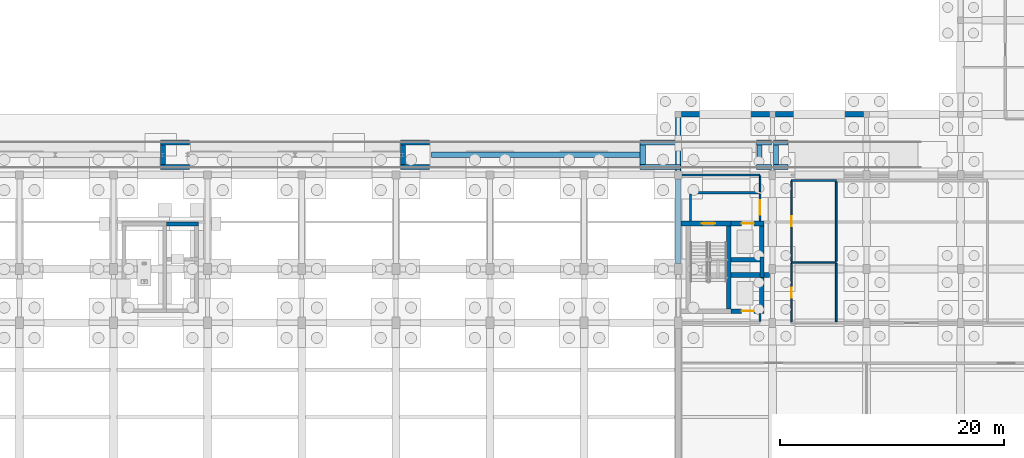
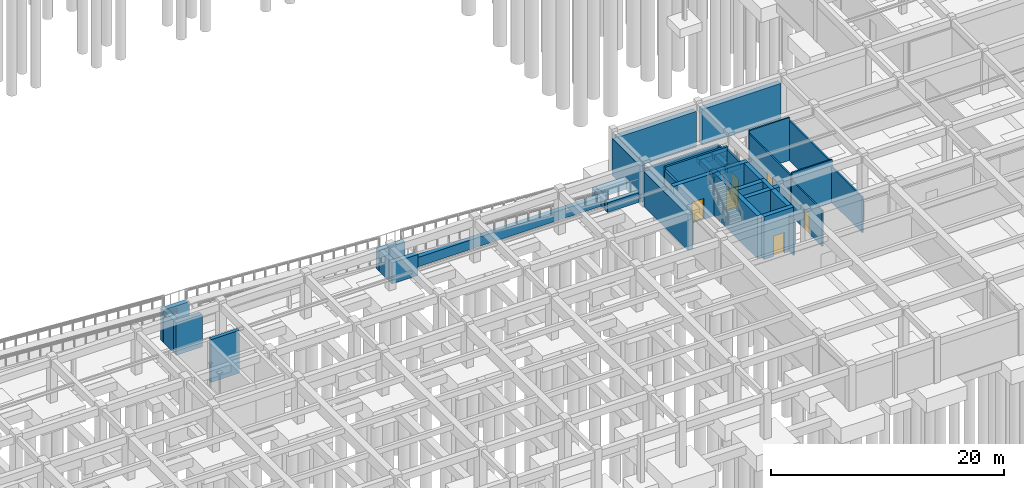
# One storey, part 37 of 49: 42 walls, 6 doors, 6 openings.
"""IFC4 building model written with IfcOpenShell, lengths in metres."""

import ifcopenshell
import ifcopenshell.guid

model = None  # the IFC model being written
_history = None  # IfcOwnerHistory: only IFC2X3 demands one
_inside = {}  # id of a spatial element -> (the spatial element, [elements in it])
_under = {}  # id of a project, library or spatial element -> (it, [spatial elements below it])
_declared = {}  # id of a project -> (the project, [libraries it declares])
_typed = {}  # id of a type object -> (the type object, [elements of that type])
_made_of = {}  # id of a material, layer set ... -> (it, [elements and type objects made of it])


def new_model(schema):
    """Start an empty IFC model of exactly this schema.

    Asked for "IFC4X3", IfcOpenShell would pick the latest addendum, in which some entities
    have other attributes; the version numbers below select the first issue.
    IFC2X3 requires an IfcOwnerHistory on every rooted entity: one is made here for all.
    """
    global model, _history
    if schema == "IFC4X3":
        model = ifcopenshell.file(schema_version=(4, 3, 0, 0))
    else:
        model = ifcopenshell.file(schema=schema)
    _inside.clear()
    _under.clear()
    _declared.clear()
    _typed.clear()
    _made_of.clear()
    _history = None
    if model.schema == "IFC2X3":
        org = make("IfcOrganization", Name="unknown")
        user = make(
            "IfcPersonAndOrganization",
            ThePerson=make("IfcPerson", FamilyName="unknown"),
            TheOrganization=org,
        )
        app = make(
            "IfcApplication",
            ApplicationDeveloper=org,
            Version="unknown",
            ApplicationFullName="unknown",
            ApplicationIdentifier="unknown",
        )
        _history = make(
            "IfcOwnerHistory",
            OwningUser=user,
            OwningApplication=app,
            ChangeAction="ADDED",
            CreationDate=0,
        )
    return model


def make(cls, **values):
    """One entity of the class cls with the attributes given. An attribute that is None is left unset."""
    return model.create_entity(
        cls, **{name: value for name, value in values.items() if value is not None}
    )


def rooted(cls, **values):
    """An entity with a GlobalId (a new one), such as an element, a storey or a relation."""
    return make(cls, GlobalId=ifcopenshell.guid.new(), OwnerHistory=_history, **values)


def si_unit(unit_type, name, prefix=None):
    """IfcSIUnit, for example si_unit("LENGTHUNIT", "METRE", prefix="MILLI")."""
    return make("IfcSIUnit", UnitType=unit_type, Prefix=prefix, Name=name)


def assignment(units):
    """IfcUnitAssignment: the units of a project."""
    return None if units is None else make("IfcUnitAssignment", Units=units)


def point(xyz):
    """IfcCartesianPoint."""
    return None if xyz is None else make("IfcCartesianPoint", Coordinates=xyz)


def direction(xyz):
    """IfcDirection."""
    return None if xyz is None else make("IfcDirection", DirectionRatios=xyz)


def frame(location, z_axis=None, x_axis=None):
    """IfcAxis2Placement3D, a coordinate frame: its origin and axes. An axis left out is left unset."""
    return make(
        "IfcAxis2Placement3D",
        Location=point(location),
        Axis=direction(z_axis),
        RefDirection=direction(x_axis),
    )


def frame_2d(location, x_axis=None):
    """IfcAxis2Placement2D, a coordinate frame in the plane: its origin and x axis."""
    return make(
        "IfcAxis2Placement2D", Location=point(location), RefDirection=direction(x_axis)
    )


def origin():
    """The frame at (0, 0, 0) with its axes left unset."""
    return frame((0.0, 0.0, 0.0))


def place(relative_to, where):
    """IfcLocalPlacement: puts the frame where relative to a parent placement (None: the world)."""
    return make(
        "IfcLocalPlacement", PlacementRelTo=relative_to, RelativePlacement=where
    )


def context(
    kind, dimensions, precision=None, world=None, true_north=None, identifier=None
):
    """IfcGeometricRepresentationContext, for example the 3D "Model" context."""
    return make(
        "IfcGeometricRepresentationContext",
        ContextIdentifier=identifier,
        ContextType=kind,
        CoordinateSpaceDimension=dimensions,
        Precision=precision,
        WorldCoordinateSystem=world,
        TrueNorth=true_north,
    )


def subcontext(parent, identifier, kind, view, scale=None):
    """IfcGeometricRepresentationSubContext, for example "Body" below "Model"."""
    return make(
        "IfcGeometricRepresentationSubContext",
        ContextIdentifier=identifier,
        ContextType=kind,
        ParentContext=parent,
        TargetScale=scale,
        TargetView=view,
    )


def project(units=None, contexts=None):
    """IfcProject with its units and contexts."""
    return rooted(
        "IfcProject",
        Name="project",
        RepresentationContexts=contexts,
        UnitsInContext=assignment(units),
    )


def spatial(cls, under=None, at=None, **own):
    """A site, building, storey or space (cls), placed at a placement, below another one or the project."""
    s = rooted(cls, ObjectPlacement=at, **own)
    if under is not None:
        _under.setdefault(under.id(), (under, []))[1].append(s)
    return s


def profile(cls, at=None, kind="AREA", **sizes):
    """A parametric profile (cls). Its sizes go by their IFC names, for example OverallWidth=200.0."""
    return make(cls, ProfileType=kind, Position=at, **sizes)


def rectangle(**sizes):
    """IfcRectangleProfileDef."""
    return profile("IfcRectangleProfileDef", **sizes)


def extrude(swept, where, along, depth):
    """IfcExtrudedAreaSolid: the profile swept, set in the frame where, extruded along a direction by depth."""
    return make(
        "IfcExtrudedAreaSolid",
        SweptArea=swept,
        Position=where,
        ExtrudedDirection=direction(along),
        Depth=depth,
    )


def shape(context_of_items, identifier, shape_type, items):
    """IfcShapeRepresentation: the items that make up one representation, for example the "Body"."""
    return make(
        "IfcShapeRepresentation",
        ContextOfItems=context_of_items,
        RepresentationIdentifier=identifier,
        RepresentationType=shape_type,
        Items=items,
    )


def material(Name=None, Category=None):
    """IfcMaterial."""
    return make("IfcMaterial", Name=Name, Category=Category)


def layer(
    of_material, thickness, ventilated=None, Name=None, Category=None, Priority=None
):
    """IfcMaterialLayer: one layer of a wall or slab, of a material (None: an air gap)."""
    return make(
        "IfcMaterialLayer",
        Material=of_material,
        LayerThickness=thickness,
        IsVentilated=ventilated,
        Name=Name,
        Category=Category,
        Priority=Priority,
    )


def layer_set(layers, Name=None):
    """IfcMaterialLayerSet."""
    return make("IfcMaterialLayerSet", MaterialLayers=layers, LayerSetName=Name)


def made_of(thing, what):
    """Note that an element or type object is made of a material, layer set ...; save() writes the relation."""
    if what is not None:
        _made_of.setdefault(what.id(), (what, []))[1].append(thing)
    return thing


def type_object(cls, material=None, **own):
    """A type object (cls), such as IfcWallType, which elements share."""
    return made_of(rooted(cls, **own), material)


def element(
    cls,
    number,
    at=None,
    inside=None,
    cuts=None,
    type_object=None,
    material=None,
    context=None,
    identifier="Body",
    shape_type=None,
    held_by="IfcProductDefinitionShape",
    body=None,
    shapes=None,
    **own,
):
    """One element of the class cls, such as IfcWall. Its Tag is "e" and its number.

    at: its placement. inside: the storey or other place that contains it. cuts: it is an
    opening in that element (IfcRelVoidsElement). A single representation is given by context,
    identifier, shape_type and body (its items); several are given by shapes. held_by: the class
    of the entity that holds the representations. save() writes the other relations.
    """
    e = rooted(cls, Tag="e%d" % number, ObjectPlacement=at, **own)
    if body is not None:
        shapes = [shape(context, identifier, shape_type, body)]
    if shapes is not None:
        e.Representation = make(held_by, Representations=shapes)
    if inside is not None:
        _inside.setdefault(inside.id(), (inside, []))[1].append(e)
    if cuts is not None:
        rooted(
            "IfcRelVoidsElement", RelatingBuildingElement=cuts, RelatedOpeningElement=e
        )
    if type_object is not None:
        _typed.setdefault(type_object.id(), (type_object, []))[1].append(e)
    return made_of(e, material)


def fill(opening, filler):
    """IfcRelFillsElement: the door or window that sits in an opening."""
    return rooted(
        "IfcRelFillsElement",
        RelatingOpeningElement=opening,
        RelatedBuildingElement=filler,
    )


def aggregate(whole, parts):
    """IfcRelAggregates: a whole, such as a stair, and the parts it consists of."""
    return rooted("IfcRelAggregates", RelatingObject=whole, RelatedObjects=parts)


def save(model, path):
    """Write the relations noted so far, then the file.

    IfcRelAggregates (storeys below a building ...), IfcRelContainedInSpatialStructure (elements
    in a storey), IfcRelDefinesByType, IfcRelAssociatesMaterial and IfcRelDeclares: one each for
    every whole, place, type object, material and project.
    """
    for whole, parts in _under.values():
        aggregate(whole, parts)
    for where, things in _inside.values():
        rooted(
            "IfcRelContainedInSpatialStructure",
            RelatedElements=things,
            RelatingStructure=where,
        )
    for kind, things in _typed.values():
        rooted("IfcRelDefinesByType", RelatedObjects=things, RelatingType=kind)
    for what, things in _made_of.values():
        rooted("IfcRelAssociatesMaterial", RelatedObjects=things, RelatingMaterial=what)
    for by, libraries in _declared.values():
        rooted("IfcRelDeclares", RelatingContext=by, RelatedDefinitions=libraries)
    model.write(path)


model = new_model("IFC4")

# Units and contexts
model_context = context("Model", 3, precision=1e-05, world=origin(), true_north=direction((0.0, 1.0)))
body_context = subcontext(model_context, "Body", "Model", "MODEL_VIEW")
ifc_project = project(units=[si_unit("LENGTHUNIT", "METRE"), si_unit("AREAUNIT", "SQUARE_METRE"), si_unit("VOLUMEUNIT", "CUBIC_METRE"), si_unit("PLANEANGLEUNIT", "RADIAN"), si_unit("MASSUNIT", "GRAM", prefix="KILO")], contexts=[model_context])

# Site, building, storey
site_placement = place(None, origin())
site = spatial("IfcSite", under=ifc_project, at=site_placement, CompositionType="ELEMENT")
building_placement = place(site_placement, origin())
building = spatial("IfcBuilding", under=site, at=building_placement, Name="Krzemoval Escarpment Law Courts", CompositionType="ELEMENT")
storey_placement = place(building_placement, frame((0.0, 0.0, -4.800048828125)))
storey = spatial("IfcBuildingStorey", under=building, at=storey_placement, Name="B1", CompositionType="ELEMENT", Elevation=-4.800048828125)

# Walls
ifc_material_1 = material(Name="Sanitary Moisture-Resistant Partition", Category="gypsum")
ifc_layer_1 = layer(ifc_material_1, 0.139892578125)
ifc_layer_set_1 = layer_set([ifc_layer_1], Name="Sanitary Moisture-Resistant Partition")
wall_type_1 = type_object("IfcWallType", Name="WL-PRT-140", PredefinedType="PARTITIONING", material=ifc_layer_set_1)
for number, where, z_axis, x_axis, name in (
    (1, (119.300048828125, 27.60009765625, 0.0), (0.0, 0.0, 1.0), (1.0, 0.0, 0.0), "Interior Partition PW-B1-0019"),
    (2, (119.300048828125, 34.89990234375, 0.0), (0.0, 0.0, 1.0), (1.0, 0.0, 0.0), "Interior Partition PW-B1-0021"),
):
    element("IfcWall", number, at=place(storey_placement, frame(where, z_axis=z_axis, x_axis=x_axis)), inside=storey, type_object=wall_type_1, Name=name, PredefinedType="PARTITIONING", context=body_context, shape_type="SweptSolid", body=[
        extrude(rectangle(XDim=4.0, YDim=0.139892578125, at=frame_2d((2.0, 0.0))), origin(), (0.0, 0.0, 1.0), 4.5),
    ])
wall_1_placement = place(storey_placement, frame((116.5, 33.902099609375, 0.0), z_axis=(0.0, 0.0, 1.0), x_axis=(0.0, 1.0, 0.0)))
element("IfcWall", 3, at=wall_1_placement, inside=storey, type_object=wall_type_1, Name="Interior Partition PW-B1-0053", PredefinedType="PARTITIONING", context=body_context, shape_type="SweptSolid", body=[
    extrude(rectangle(XDim=1.406005859375, YDim=0.139892578125, at=frame_2d((0.703125, 0.0))), origin(), (0.0, 0.0, 1.0), 3.75),
])

# Wall, opening, door
wall_2_placement = place(storey_placement, frame((119.300048828125, 22.27197265625, 0.0), z_axis=(0.0, 0.0, 1.0), x_axis=(0.0, 1.0, 0.0)))
wall_2 = element("IfcWall", 4, at=wall_2_placement, inside=storey, type_object=wall_type_1, Name="Interior Partition PW-B1-0054", PredefinedType="PARTITIONING", context=body_context, shape_type="SweptSolid", body=[
    extrude(rectangle(XDim=5.256103515625, YDim=0.139892578125, at=frame_2d((2.6279296875, 0.0))), origin(), (0.0, 0.0, 1.0), 3.75),
])
opening_1_placement = place(wall_2_placement, frame((2.177978515625, 0.0, 0.0)))
opening_1 = element("IfcOpeningElement", 5, at=opening_1_placement, cuts=wall_2, Name="Opening D-B1-0019", PredefinedType="OPENING", context=body_context, shape_type="SweptSolid", body=[
    extrude(rectangle(XDim=0.89990234375, YDim=2.10009765625, at=frame_2d((0.449951171875, 1.050048828125))), frame((0.0, 0.08495, 0.0), z_axis=(0.0, -1.0, 0.0), x_axis=(1.0, 0.0, 0.0)), (0.0, 0.0, 1.0), 0.16989),
])
ifc_material_2 = material(Name="Engineered Solid-Core Oak Acoustic Timber", Category="wood")
door_type_1 = type_object("IfcDoorType", Name="DR-INT-900x2100", OperationType="SINGLE_SWING_LEFT", PredefinedType="DOOR", material=ifc_material_2)
door_1_placement = place(opening_1_placement, origin())
door_1 = element("IfcDoor", 6, at=door_1_placement, inside=storey, type_object=door_type_1, Name="Room Door D-B1-0019", OperationType="SINGLE_SWING_RIGHT", OverallHeight=2.10009765625, OverallWidth=0.89990234375, PredefinedType="DOOR", context=body_context, shape_type="SweptSolid", body=[
    extrude(rectangle(XDim=0.89990234375, YDim=2.10009765625, at=frame_2d((0.449951171875, 1.050048828125))), frame((0.0, 0.02490234375, 0.0), z_axis=(0.0, -1.0, 0.0), x_axis=(1.0, 0.0, 0.0)), (0.0, 0.0, 1.0), 0.050048828125),
])
fill(opening_1, door_1)

wall_3_placement = place(storey_placement, frame((119.300048828125, 27.672119140625, 0.0), z_axis=(0.0, 0.0, 1.0), x_axis=(0.0, 1.0, 0.0)))
wall_3 = element("IfcWall", 7, at=wall_3_placement, inside=storey, type_object=wall_type_1, Name="Interior Partition PW-B1-0055", PredefinedType="PARTITIONING", context=body_context, shape_type="SweptSolid", body=[
    extrude(rectangle(XDim=7.15576171875, YDim=0.139892578125, at=frame_2d((3.577880859375, 0.0))), origin(), (0.0, 0.0, 1.0), 4.199951171875),
])
opening_2_placement = place(wall_3_placement, frame((3.1279296875, 0.0, 0.0)))
opening_2 = element("IfcOpeningElement", 8, at=opening_2_placement, cuts=wall_3, Name="Opening D-B1-0020", PredefinedType="OPENING", context=body_context, shape_type="SweptSolid", body=[
    extrude(rectangle(XDim=0.89990234375, YDim=2.10009765625, at=frame_2d((0.449951171875, 1.050048828125))), frame((0.0, 0.08495, 0.0), z_axis=(0.0, -1.0, 0.0), x_axis=(1.0, 0.0, 0.0)), (0.0, 0.0, 1.0), 0.16989),
])
door_2_placement = place(opening_2_placement, origin())
door_2 = element("IfcDoor", 9, at=door_2_placement, inside=storey, type_object=door_type_1, Name="Room Door D-B1-0020", OperationType="SINGLE_SWING_LEFT", OverallHeight=2.10009765625, OverallWidth=0.89990234375, PredefinedType="DOOR", context=body_context, shape_type="SweptSolid", body=[
    extrude(rectangle(XDim=0.89990234375, YDim=2.10009765625, at=frame_2d((0.449951171875, 1.050048828125))), frame((0.0, 0.02490234375, 0.0), z_axis=(0.0, -1.0, 0.0), x_axis=(1.0, 0.0, 0.0)), (0.0, 0.0, 1.0), 0.050048828125),
])
fill(opening_2, door_2)

# Walls
wall_4_placement = place(storey_placement, frame((123.300048828125, 22.302001953125, 0.0), z_axis=(0.0, 0.0, 1.0), x_axis=(0.0, 1.0, 0.0)))
element("IfcWall", 10, at=wall_4_placement, inside=storey, type_object=wall_type_1, Name="Interior Partition PW-B1-0056", PredefinedType="PARTITIONING", context=body_context, shape_type="SweptSolid", body=[
    extrude(rectangle(XDim=5.22607421875, YDim=0.139892578125, at=frame_2d((2.613037109375, 0.0))), origin(), (0.0, 0.0, 1.0), 3.75),
])
wall_5_placement = place(storey_placement, frame((123.300048828125, 27.672119140625, 0.0), z_axis=(0.0, 0.0, 1.0), x_axis=(0.0, 1.0, 0.0)))
element("IfcWall", 11, at=wall_5_placement, inside=storey, type_object=wall_type_1, Name="Interior Partition PW-B1-0057", PredefinedType="PARTITIONING", context=body_context, shape_type="SweptSolid", body=[
    extrude(rectangle(XDim=7.10595703125, YDim=0.139892578125, at=frame_2d((3.552978515625, 0.0))), origin(), (0.0, 0.0, 1.0), 4.199951171875),
])
ifc_material_3 = material(Name="Office Acoustic Partition Wall", Category="gypsum")
ifc_layer_2 = layer(ifc_material_3, 0.14990234375)
ifc_layer_set_2 = layer_set([ifc_layer_2], Name="Office Acoustic Partition Wall")
wall_type_2 = type_object("IfcWallType", Name="WL-PRT-150", PredefinedType="PARTITIONING", material=ifc_layer_set_2)
wall_6_placement = place(storey_placement, frame((116.5, 22.322021484375, 0.0), z_axis=(0.0, 0.0, 1.0), x_axis=(0.0, 1.0, 0.0)))
element("IfcWall", 12, at=wall_6_placement, inside=storey, type_object=wall_type_2, Name="Interior Partition PW-B1-0052", PredefinedType="PARTITIONING", context=body_context, shape_type="SweptSolid", body=[
    extrude(rectangle(XDim=0.7060546875, YDim=0.14990234375, at=frame_2d((0.35302734375, 0.0))), origin(), (0.0, 0.0, 1.0), 3.75),
])
ifc_material_4 = material(Name="Judicial Chambers Acoustic Partition", Category="gypsum")
ifc_layer_3 = layer(ifc_material_4, 0.179931640625)
ifc_layer_set_3 = layer_set([ifc_layer_3], Name="Judicial Chambers Acoustic Partition")
wall_type_3 = type_object("IfcWallType", Name="WL-PRT-180", PredefinedType="PARTITIONING", material=ifc_layer_set_3)
wall_7_placement = place(storey_placement, frame((109.18994140625, 35.39990234375, 0.0), z_axis=(0.0, 0.0, 1.0), x_axis=(1.0, 0.0, 0.0)))
element("IfcWall", 13, at=wall_7_placement, inside=storey, type_object=wall_type_3, Name="Interior Partition PW-B1-0023", PredefinedType="PARTITIONING", context=body_context, shape_type="SweptSolid", body=[
    extrude(rectangle(XDim=7.31005859375, YDim=0.179931640625, at=frame_2d((3.655029296875, 0.0))), origin(), (0.0, 0.0, 1.0), 3.75),
])
ifc_material_5 = material(Name="Fire-Rated Corridor Partition Wall", Category="gypsum")
ifc_layer_4 = layer(ifc_material_5, 0.199951171875)
ifc_layer_set_4 = layer_set([ifc_layer_4], Name="Fire-Rated Corridor Partition Wall")
wall_type_4 = type_object("IfcWallType", Name="WL-PRT-200", PredefinedType="PARTITIONING", material=ifc_layer_set_4)
wall_8_placement = place(storey_placement, frame((110.300048828125, 33.800048828125, 0.0), z_axis=(0.0, 0.0, 1.0), x_axis=(1.0, 0.0, 0.0)))
element("IfcWall", 14, at=wall_8_placement, inside=storey, type_object=wall_type_4, Name="Interior Partition PW-B1-0020", PredefinedType="PARTITIONING", context=body_context, shape_type="SweptSolid", body=[
    extrude(rectangle(XDim=6.199951171875, YDim=0.199951171875, at=frame_2d((3.10009765625, 0.0))), origin(), (0.0, 0.0, 1.0), 4.5),
])
wall_9_placement = place(storey_placement, frame((110.300048828125, 31.27197265625, 0.0), z_axis=(0.0, 0.0, 1.0), x_axis=(0.0, 1.0, 0.0)))
element("IfcWall", 15, at=wall_9_placement, inside=storey, type_object=wall_type_4, Name="Interior Partition PW-B1-0050", PredefinedType="PARTITIONING", context=body_context, shape_type="SweptSolid", body=[
    extrude(rectangle(XDim=2.426025390625, YDim=0.199951171875, at=frame_2d((1.212890625, 0.0))), origin(), (0.0, 0.0, 1.0), 4.199951171875),
])

# Wall, opening, door
wall_10_placement = place(storey_placement, frame((116.5, 31.27197265625, 0.0), z_axis=(0.0, 0.0, 1.0), x_axis=(0.0, 1.0, 0.0)))
wall_10 = element("IfcWall", 16, at=wall_10_placement, inside=storey, type_object=wall_type_4, Name="Interior Partition PW-B1-0051", PredefinedType="PARTITIONING", context=body_context, shape_type="SweptSolid", body=[
    extrude(rectangle(XDim=2.426025390625, YDim=0.199951171875, at=frame_2d((1.212890625, 0.0))), origin(), (0.0, 0.0, 1.0), 4.199951171875),
])
opening_3_placement = place(wall_10_placement, frame((0.56298828125, 0.0, 0.0)))
opening_3 = element("IfcOpeningElement", 17, at=opening_3_placement, cuts=wall_10, Name="Opening D-B1-0016", PredefinedType="OPENING", context=body_context, shape_type="SweptSolid", body=[
    extrude(rectangle(XDim=1.300048828125, YDim=2.199951171875, at=frame_2d((0.64990234375, 1.10009765625))), frame((0.0, 0.11498, 0.0), z_axis=(0.0, -1.0, 0.0), x_axis=(1.0, 0.0, 0.0)), (0.0, 0.0, 1.0), 0.22995),
])
ifc_material_6 = material(Name="Galvanised Steel S355", Category="steel")
door_type_2 = type_object("IfcDoorType", Name="DR-STR-1300x2200", OperationType="SINGLE_SWING_LEFT", PredefinedType="DOOR", material=ifc_material_6)
door_3_placement = place(opening_3_placement, origin())
door_3 = element("IfcDoor", 18, at=door_3_placement, inside=storey, type_object=door_type_2, Name="Room Door D-B1-0016", OperationType="SINGLE_SWING_LEFT", OverallHeight=2.199951171875, OverallWidth=1.300048828125, PredefinedType="DOOR", context=body_context, shape_type="SweptSolid", body=[
    extrude(rectangle(XDim=1.300048828125, YDim=2.199951171875, at=frame_2d((0.64990234375, 1.10009765625))), frame((0.0, 0.02490234375, 0.0), z_axis=(0.0, -1.0, 0.0), x_axis=(1.0, 0.0, 0.0)), (0.0, 0.0, 1.0), 0.050048828125),
])
fill(opening_3, door_3)

# Walls
ifc_material_7 = material(Name="Concrete C35/45", Category="concrete")
ifc_layer_5 = layer(ifc_material_7, 0.449951171875)
ifc_layer_set_5 = layer_set([ifc_layer_5], Name="Concrete C35/45")
wall_type_5 = type_object("IfcWallType", Name="WL-RET-450", PredefinedType="USERDEFINED", material=ifc_layer_set_5)
wall_11_placement = place(storey_placement, frame((87.199951171875, 37.199951171875, 0.0), z_axis=(0.0, 0.0, 1.0), x_axis=(1.0, 0.0, 0.0)))
element("IfcWall", 19, at=wall_11_placement, inside=storey, type_object=wall_type_5, Name="Escarpment Ramp Spine Wall RW-RMP-SP3", ObjectType="RETAININGWALL", PredefinedType="USERDEFINED", context=body_context, shape_type="SweptSolid", body=[
    extrude(rectangle(XDim=18.60009765625, YDim=0.449951171875, at=frame_2d((9.300048828125, 0.0))), origin(), (0.0, 0.0, 1.0), 0.97998046875),
])
for number, where, z_axis, x_axis, name in (
    (20, (63.0, 36.090087890625, 0.0), (0.0, 0.0, 1.0), (1.0, 0.0, 0.0), "Ramp Landing Cheek Retaining Wall RW-RLD-02S"),
    (21, (63.0, 38.31005859375, 0.0), (0.0, 0.0, 1.0), (1.0, 0.0, 0.0), "Ramp Landing Cheek Retaining Wall RW-RLD-02N"),
):
    element("IfcWall", number, at=place(storey_placement, frame(where, z_axis=z_axis, x_axis=x_axis)), inside=storey, type_object=wall_type_5, Name=name, ObjectType="RETAININGWALL", PredefinedType="USERDEFINED", context=body_context, shape_type="SweptSolid", body=[
        extrude(rectangle(XDim=2.60009765625, YDim=0.449951171875, at=frame_2d((1.300048828125, 0.0))), origin(), (0.0, 0.0, 1.0), 3.400146484375),
    ])
wall_12_placement = place(storey_placement, frame((63.22998046875, 36.35009765625, 0.0), z_axis=(0.0, 0.0, 1.0), x_axis=(0.0, 1.0, 0.0)))
element("IfcWall", 22, at=wall_12_placement, inside=storey, type_object=wall_type_5, Name="Ramp Landing Cross Retaining Wall RW-RLD-02X", ObjectType="RETAININGWALL", PredefinedType="USERDEFINED", context=body_context, shape_type="SweptSolid", body=[
    extrude(rectangle(XDim=1.699951171875, YDim=0.449951171875, at=frame_2d((0.85009765625, 0.0))), origin(), (0.0, 0.0, 1.0), 3.400146484375),
])
for number, where, z_axis, x_axis, name in (
    (23, (84.39990234375, 36.090087890625, 0.0), (0.0, 0.0, 1.0), (1.0, 0.0, 0.0), "Ramp Landing Cheek Retaining Wall RW-RLD-03S"),
    (24, (84.39990234375, 38.31005859375, 0.0), (0.0, 0.0, 1.0), (1.0, 0.0, 0.0), "Ramp Landing Cheek Retaining Wall RW-RLD-03N"),
):
    element("IfcWall", number, at=place(storey_placement, frame(where, z_axis=z_axis, x_axis=x_axis)), inside=storey, type_object=wall_type_5, Name=name, ObjectType="RETAININGWALL", PredefinedType="USERDEFINED", context=body_context, shape_type="SweptSolid", body=[
        extrude(rectangle(XDim=2.60009765625, YDim=0.449951171875, at=frame_2d((1.300048828125, 0.0))), origin(), (0.0, 0.0, 1.0), 2.199951171875),
    ])
wall_13_placement = place(storey_placement, frame((84.6298828125, 36.35009765625, 0.0), z_axis=(0.0, 0.0, 1.0), x_axis=(0.0, 1.0, 0.0)))
element("IfcWall", 25, at=wall_13_placement, inside=storey, type_object=wall_type_5, Name="Ramp Landing Cross Retaining Wall RW-RLD-03X", ObjectType="RETAININGWALL", PredefinedType="USERDEFINED", context=body_context, shape_type="SweptSolid", body=[
    extrude(rectangle(XDim=1.699951171875, YDim=0.449951171875, at=frame_2d((0.85009765625, 0.0))), origin(), (0.0, 0.0, 1.0), 2.199951171875),
])
for number, where, z_axis, x_axis, name in (
    (26, (105.800048828125, 36.090087890625, 0.0), (0.0, 0.0, 1.0), (1.0, 0.0, 0.0), "Ramp Landing Cheek Retaining Wall RW-RLD-04S"),
    (27, (105.800048828125, 38.31005859375, 0.0), (0.0, 0.0, 1.0), (1.0, 0.0, 0.0), "Ramp Landing Cheek Retaining Wall RW-RLD-04N"),
):
    element("IfcWall", number, at=place(storey_placement, frame(where, z_axis=z_axis, x_axis=x_axis)), inside=storey, type_object=wall_type_5, Name=name, ObjectType="RETAININGWALL", PredefinedType="USERDEFINED", context=body_context, shape_type="SweptSolid", body=[
        extrude(rectangle(XDim=3.599853515625, YDim=0.449951171875, at=frame_2d((1.7998046875, 0.0))), origin(), (0.0, 0.0, 1.0), 1.0),
    ])
wall_14_placement = place(storey_placement, frame((106.030029296875, 36.35009765625, 0.0), z_axis=(0.0, 0.0, 1.0), x_axis=(0.0, 1.0, 0.0)))
element("IfcWall", 28, at=wall_14_placement, inside=storey, type_object=wall_type_5, Name="Ramp Landing Cross Retaining Wall RW-RLD-04X", ObjectType="RETAININGWALL", PredefinedType="USERDEFINED", context=body_context, shape_type="SweptSolid", body=[
    extrude(rectangle(XDim=1.699951171875, YDim=0.449951171875, at=frame_2d((0.85009765625, 0.0))), origin(), (0.0, 0.0, 1.0), 1.0),
])
for number, where, z_axis, x_axis, name in (
    (29, (116.199951171875, 36.090087890625, 0.0), (0.0, 0.0, 1.0), (1.0, 0.0, 0.0), "Ramp Landing Cheek Retaining Wall RW-RLD-05S"),
    (30, (116.199951171875, 38.31005859375, 0.0), (0.0, 0.0, 1.0), (1.0, 0.0, 0.0), "Ramp Landing Cheek Retaining Wall RW-RLD-05N"),
):
    element("IfcWall", number, at=place(storey_placement, frame(where, z_axis=z_axis, x_axis=x_axis)), inside=storey, type_object=wall_type_5, Name=name, ObjectType="RETAININGWALL", PredefinedType="USERDEFINED", context=body_context, shape_type="SweptSolid", body=[
        extrude(rectangle(XDim=1.31005859375, YDim=0.449951171875, at=frame_2d((0.655029296875, 0.0))), origin(), (0.0, 0.0, 1.0), 0.550048828125),
    ])
wall_15_placement = place(storey_placement, frame((116.429931640625, 36.35009765625, 0.0), z_axis=(0.0, 0.0, 1.0), x_axis=(0.0, 1.0, 0.0)))
element("IfcWall", 31, at=wall_15_placement, inside=storey, type_object=wall_type_5, Name="Ramp Landing Cross Retaining Wall RW-RLD-05X", ObjectType="RETAININGWALL", PredefinedType="USERDEFINED", context=body_context, shape_type="SweptSolid", body=[
    extrude(rectangle(XDim=1.699951171875, YDim=0.449951171875, at=frame_2d((0.85009765625, 0.0))), origin(), (0.0, 0.0, 1.0), 0.550048828125),
])
for number, where, z_axis, x_axis, name in (
    (32, (117.68994140625, 36.090087890625, 0.0), (0.0, 0.0, 1.0), (1.0, 0.0, 0.0), "Ramp Landing Cheek Retaining Wall RW-RLD-06S"),
    (33, (117.68994140625, 38.31005859375, 0.0), (0.0, 0.0, 1.0), (1.0, 0.0, 0.0), "Ramp Landing Cheek Retaining Wall RW-RLD-06N"),
):
    element("IfcWall", number, at=place(storey_placement, frame(where, z_axis=z_axis, x_axis=x_axis)), inside=storey, type_object=wall_type_5, Name=name, ObjectType="RETAININGWALL", PredefinedType="USERDEFINED", context=body_context, shape_type="SweptSolid", body=[
        extrude(rectangle(XDim=1.31005859375, YDim=0.449951171875, at=frame_2d((0.655029296875, 0.0))), origin(), (0.0, 0.0, 1.0), 0.550048828125),
    ])
wall_16_placement = place(storey_placement, frame((117.919921875, 36.35009765625, 0.0), z_axis=(0.0, 0.0, 1.0), x_axis=(0.0, 1.0, 0.0)))
element("IfcWall", 34, at=wall_16_placement, inside=storey, type_object=wall_type_5, Name="Ramp Landing Cross Retaining Wall RW-RLD-06X", ObjectType="RETAININGWALL", PredefinedType="USERDEFINED", context=body_context, shape_type="SweptSolid", body=[
    extrude(rectangle(XDim=1.699951171875, YDim=0.449951171875, at=frame_2d((0.85009765625, 0.0))), origin(), (0.0, 0.0, 1.0), 0.550048828125),
])
ifc_material_8 = material(Name="Concrete C35/45", Category="concrete")
ifc_layer_6 = layer(ifc_material_8, 0.5)
ifc_layer_set_6 = layer_set([ifc_layer_6], Name="Concrete C35/45")
wall_type_6 = type_object("IfcWallType", Name="WL-RET-500", PredefinedType="USERDEFINED", material=ifc_layer_set_6)
wall_17_placement = place(storey_placement, frame((109.199951171875, 27.5, 0.0), z_axis=(0.0, 0.0, 1.0), x_axis=(0.0, 1.0, 0.0)))
element("IfcWall", 35, at=wall_17_placement, inside=storey, type_object=wall_type_6, Name="Exterior Wall EW-B1-0009", ObjectType="RETAININGWALL", PredefinedType="USERDEFINED", context=body_context, shape_type="SweptSolid", body=[
    extrude(rectangle(XDim=7.550048828125, YDim=0.5, at=frame_2d((3.77490234375, 0.0))), origin(), (0.0, 0.0, 1.0), 3.699951171875),
])
wall_18_placement = place(storey_placement, frame((109.199951171875, 35.75, 0.0), z_axis=(0.0, 0.0, 1.0), x_axis=(0.0, 1.0, 0.0)))
element("IfcWall", 36, at=wall_18_placement, inside=storey, type_object=wall_type_6, Name="Exterior Wall EW-B1-0010", ObjectType="RETAININGWALL", PredefinedType="USERDEFINED", context=body_context, shape_type="SweptSolid", body=[
    extrude(rectangle(XDim=4.77490234375, YDim=0.5, at=frame_2d((2.387451171875, 0.0))), origin(), (0.0, 0.0, 1.0), 3.85009765625),
])
wall_19_placement = place(storey_placement, frame((109.47509765625, 40.800048828125, 0.0), z_axis=(0.0, 0.0, 1.0), x_axis=(1.0, 0.0, 0.0)))
element("IfcWall", 37, at=wall_19_placement, inside=storey, type_object=wall_type_6, Name="Exterior Wall EW-B1-0011", ObjectType="RETAININGWALL", PredefinedType="USERDEFINED", context=body_context, shape_type="SweptSolid", body=[
    extrude(rectangle(XDim=7.849853515625, YDim=0.5, at=frame_2d((3.9248046875, 0.0))), origin(), (0.0, 0.0, 1.0), 3.75),
])
wall_20_placement = place(storey_placement, frame((117.875, 40.800048828125, 0.0), z_axis=(0.0, 0.0, 1.0), x_axis=(1.0, 0.0, 0.0)))
element("IfcWall", 38, at=wall_20_placement, inside=storey, type_object=wall_type_6, Name="Exterior Wall EW-B1-0012", ObjectType="RETAININGWALL", PredefinedType="USERDEFINED", context=body_context, shape_type="SweptSolid", body=[
    extrude(rectangle(XDim=7.85009765625, YDim=0.5, at=frame_2d((3.925048828125, 0.0))), origin(), (0.0, 0.0, 1.0), 3.75),
])
ifc_material_9 = material(Name="Concrete C40/50", Category="concrete")
ifc_layer_7 = layer(ifc_material_9, 0.35009765625)
ifc_layer_set_7 = layer_set([ifc_layer_7], Name="Concrete C40/50")
wall_type_7 = type_object("IfcWallType", Name="WL-SHW-350", PredefinedType="SHEAR", material=ifc_layer_set_7)
wall_21_placement = place(storey_placement, frame((63.550048828125, 31.02490234375, 0.0), z_axis=(0.0, 0.0, 1.0), x_axis=(1.0, 0.0, 0.0)))
element("IfcWall", 39, at=wall_21_placement, inside=storey, type_object=wall_type_7, Name="Lift Shaft Shear Wall SW-B1-0456", PredefinedType="SHEAR", context=body_context, shape_type="SweptSolid", body=[
    extrude(rectangle(XDim=2.849853515625, YDim=0.35009765625, at=frame_2d((1.4248046875, 0.0))), origin(), (0.0, 0.0, 1.0), 4.5),
])
wall_22_placement = place(storey_placement, frame((116.659912109375, 26.242919921875, 0.0), z_axis=(0.0, 0.0, 1.0), x_axis=(0.0, 1.0, 0.0)))
element("IfcWall", 40, at=wall_22_placement, inside=storey, type_object=wall_type_7, Name="Riser Shaft Wall SW-B1-0550", PredefinedType="SHEAR", context=body_context, shape_type="SweptSolid", body=[
    extrude(rectangle(XDim=1.81396484375, YDim=0.35009765625, at=frame_2d((0.906982421875, 0.0))), origin(), (0.0, 0.0, 1.0), 4.5),
])

# Wall, opening, door
ifc_material_10 = material(Name="Concrete C40/50", Category="concrete")
ifc_layer_8 = layer(ifc_material_10, 0.419921875)
ifc_layer_set_8 = layer_set([ifc_layer_8], Name="Concrete C40/50")
wall_type_8 = type_object("IfcWallType", Name="WL-SHW-420", PredefinedType="SHEAR", material=ifc_layer_set_8)
wall_23_placement = place(storey_placement, frame((109.445068359375, 31.06005859375, 0.0), z_axis=(0.0, 0.0, 1.0), x_axis=(1.0, 0.0, 0.0)))
wall_23 = element("IfcWall", 41, at=wall_23_placement, inside=storey, type_object=wall_type_8, Name="Core Stair Shear Wall SW-B1-0540", PredefinedType="SHEAR", context=body_context, shape_type="SweptSolid", body=[
    extrude(rectangle(XDim=4.474853515625, YDim=0.419921875, at=frame_2d((2.2373046875, 0.0))), origin(), (0.0, 0.0, 1.0), 4.5),
])
opening_4_placement = place(wall_23_placement, frame((1.85498046875, 0.0, 0.0)))
opening_4 = element("IfcOpeningElement", 42, at=opening_4_placement, cuts=wall_23, Name="Opening SD-ST6-B1", PredefinedType="OPENING", context=body_context, shape_type="SweptSolid", body=[
    extrude(rectangle(XDim=1.199951171875, YDim=2.199951171875, at=frame_2d((0.60009765625, 1.10009765625))), frame((0.0, 0.22496, 0.0), z_axis=(0.0, -1.0, 0.0), x_axis=(1.0, 0.0, 0.0)), (0.0, 0.0, 1.0), 0.44992),
])
ifc_material_11 = material(Name="Galvanised Steel S355", Category="steel")
door_type_3 = type_object("IfcDoorType", Name="DR-STR-1200x2200", OperationType="SINGLE_SWING_LEFT", PredefinedType="DOOR", material=ifc_material_11)
door_4_placement = place(opening_4_placement, origin())
door_4 = element("IfcDoor", 43, at=door_4_placement, inside=storey, type_object=door_type_3, Name="Stair Exit Door SD-ST6-B1", OperationType="SINGLE_SWING_RIGHT", OverallHeight=2.199951171875, OverallWidth=1.199951171875, PredefinedType="DOOR", context=body_context, shape_type="SweptSolid", body=[
    extrude(rectangle(XDim=1.199951171875, YDim=2.199951171875, at=frame_2d((0.60009765625, 1.10009765625))), frame((0.0, 0.02490234375, 0.0), z_axis=(0.0, -1.0, 0.0), x_axis=(1.0, 0.0, 0.0)), (0.0, 0.0, 1.0), 0.050048828125),
])
fill(opening_4, door_4)

# Wall
wall_24_placement = place(storey_placement, frame((113.7099609375, 23.451904296875, 0.0), z_axis=(0.0, 0.0, 1.0), x_axis=(0.0, 1.0, 0.0)))
element("IfcWall", 44, at=wall_24_placement, inside=storey, type_object=wall_type_8, Name="Core Stair Shear Wall SW-B1-0543", PredefinedType="SHEAR", context=body_context, shape_type="SweptSolid", body=[
    extrude(rectangle(XDim=7.39599609375, YDim=0.419921875, at=frame_2d((3.697998046875, 0.0))), origin(), (0.0, 0.0, 1.0), 4.5),
])

# Wall, opening, door
wall_25_placement = place(storey_placement, frame((113.919921875, 23.239990234375, 0.0), z_axis=(0.0, 0.0, 1.0), x_axis=(1.0, 0.0, 0.0)))
wall_25 = element("IfcWall", 45, at=wall_25_placement, inside=storey, type_object=wall_type_8, Name="Lift Shaft Shear Wall SW-B1-0544", PredefinedType="SHEAR", context=body_context, shape_type="SweptSolid", body=[
    extrude(rectangle(XDim=2.9501953125, YDim=0.419921875, at=frame_2d((1.47509765625, 0.0))), origin(), (0.0, 0.0, 1.0), 4.5),
])
opening_5_placement = place(wall_25_placement, frame((0.925048828125, 0.0, 0.0)))
opening_5 = element("IfcOpeningElement", 46, at=opening_5_placement, cuts=wall_25, Name="Opening LD-CL1-B1", PredefinedType="OPENING", context=body_context, shape_type="SweptSolid", body=[
    extrude(rectangle(XDim=1.10009765625, YDim=2.14990234375, at=frame_2d((0.550048828125, 1.074951171875))), frame((0.0, 0.22496, 0.0), z_axis=(0.0, -1.0, 0.0), x_axis=(1.0, 0.0, 0.0)), (0.0, 0.0, 1.0), 0.44992),
])
ifc_material_12 = material(Name="Stainless Steel Grade 304", Category="steel")
door_type_4 = type_object("IfcDoorType", Name="DR-LFT-1100x2150", OperationType="SINGLE_SWING_LEFT", PredefinedType="DOOR", material=ifc_material_12)
door_5_placement = place(opening_5_placement, origin())
door_5 = element("IfcDoor", 47, at=door_5_placement, inside=storey, type_object=door_type_4, Name="Lift Landing Door LD-CL1-B1", OperationType="DOUBLE_DOOR_SLIDING", OverallHeight=2.14990234375, OverallWidth=1.10009765625, PredefinedType="DOOR", context=body_context, shape_type="SweptSolid", body=[
    extrude(rectangle(XDim=1.10009765625, YDim=2.14990234375, at=frame_2d((0.550048828125, 1.074951171875))), frame((0.0, 0.02490234375, 0.0), z_axis=(0.0, -1.0, 0.0), x_axis=(1.0, 0.0, 0.0)), (0.0, 0.0, 1.0), 0.050048828125),
])
fill(opening_5, door_5)

# Walls
wall_26_placement = place(storey_placement, frame((113.922119140625, 26.4599609375, 0.0), z_axis=(0.0, 0.0, 1.0), x_axis=(1.0, 0.0, 0.0)))
element("IfcWall", 48, at=wall_26_placement, inside=storey, type_object=wall_type_8, Name="Lift Shaft Shear Wall SW-B1-0545", PredefinedType="SHEAR", context=body_context, shape_type="SweptSolid", body=[
    extrude(rectangle(XDim=3.40478515625, YDim=0.419921875, at=frame_2d((1.702392578125, 0.0))), origin(), (0.0, 0.0, 1.0), 4.5),
])
wall_27_placement = place(storey_placement, frame((116.659912109375, 23.451904296875, 0.0), z_axis=(0.0, 0.0, 1.0), x_axis=(0.0, 1.0, 0.0)))
element("IfcWall", 49, at=wall_27_placement, inside=storey, type_object=wall_type_8, Name="Lift Shaft Shear Wall SW-B1-0546", PredefinedType="SHEAR", context=body_context, shape_type="SweptSolid", body=[
    extrude(rectangle(XDim=2.796142578125, YDim=0.419921875, at=frame_2d((1.39794921875, 0.0))), origin(), (0.0, 0.0, 1.0), 4.5),
])
wall_28_placement = place(storey_placement, frame((113.922119140625, 27.840087890625, 0.0), z_axis=(0.0, 0.0, 1.0), x_axis=(1.0, 0.0, 0.0)))
element("IfcWall", 50, at=wall_28_placement, inside=storey, type_object=wall_type_8, Name="Lift Shaft Shear Wall SW-B1-0547", PredefinedType="SHEAR", context=body_context, shape_type="SweptSolid", body=[
    extrude(rectangle(XDim=2.947998046875, YDim=0.419921875, at=frame_2d((1.47412109375, 0.0))), origin(), (0.0, 0.0, 1.0), 4.5),
])

# Wall, opening, door
wall_29_placement = place(storey_placement, frame((113.919921875, 31.06005859375, 0.0), z_axis=(0.0, 0.0, 1.0), x_axis=(1.0, 0.0, 0.0)))
wall_29 = element("IfcWall", 51, at=wall_29_placement, inside=storey, type_object=wall_type_8, Name="Lift Shaft Shear Wall SW-B1-0548", PredefinedType="SHEAR", context=body_context, shape_type="SweptSolid", body=[
    extrude(rectangle(XDim=2.9501953125, YDim=0.419921875, at=frame_2d((1.47509765625, 0.0))), origin(), (0.0, 0.0, 1.0), 4.5),
])
opening_6_placement = place(wall_29_placement, frame((0.925048828125, 0.0, 0.0)))
opening_6 = element("IfcOpeningElement", 52, at=opening_6_placement, cuts=wall_29, Name="Opening LD-CL2-B1", PredefinedType="OPENING", context=body_context, shape_type="SweptSolid", body=[
    extrude(rectangle(XDim=1.10009765625, YDim=2.14990234375, at=frame_2d((0.550048828125, 1.074951171875))), frame((0.0, 0.22496, 0.0), z_axis=(0.0, -1.0, 0.0), x_axis=(1.0, 0.0, 0.0)), (0.0, 0.0, 1.0), 0.44992),
])
door_6_placement = place(opening_6_placement, origin())
door_6 = element("IfcDoor", 53, at=door_6_placement, inside=storey, type_object=door_type_4, Name="Lift Landing Door LD-CL2-B1", OperationType="DOUBLE_DOOR_SLIDING", OverallHeight=2.14990234375, OverallWidth=1.10009765625, PredefinedType="DOOR", context=body_context, shape_type="SweptSolid", body=[
    extrude(rectangle(XDim=1.10009765625, YDim=2.14990234375, at=frame_2d((0.550048828125, 1.074951171875))), frame((0.0, 0.02490234375, 0.0), z_axis=(0.0, -1.0, 0.0), x_axis=(1.0, 0.0, 0.0)), (0.0, 0.0, 1.0), 0.050048828125),
])
fill(opening_6, door_6)

# Wall
wall_30_placement = place(storey_placement, frame((116.659912109375, 28.052001953125, 0.0), z_axis=(0.0, 0.0, 1.0), x_axis=(0.0, 1.0, 0.0)))
element("IfcWall", 54, at=wall_30_placement, inside=storey, type_object=wall_type_8, Name="Lift Shaft Shear Wall SW-B1-0549", PredefinedType="SHEAR", context=body_context, shape_type="SweptSolid", body=[
    extrude(rectangle(XDim=2.7958984375, YDim=0.419921875, at=frame_2d((1.39794921875, 0.0))), origin(), (0.0, 0.0, 1.0), 4.5),
])

save(model, "model.ifc")
